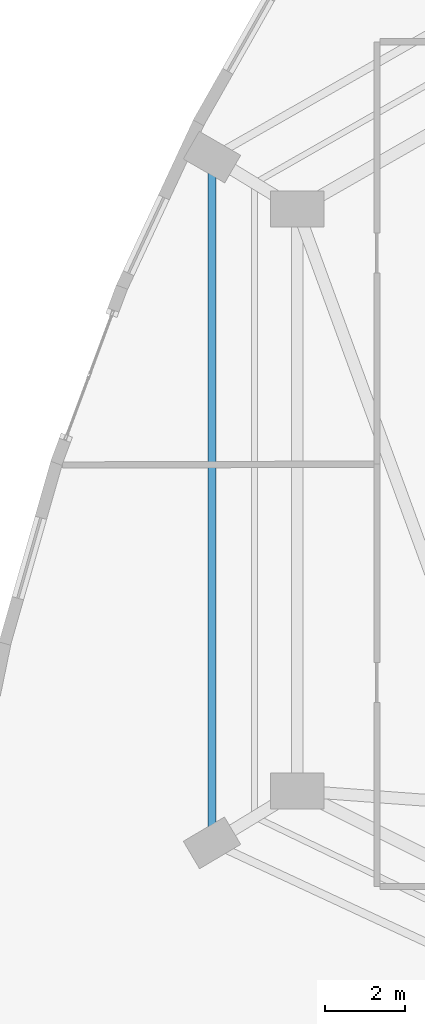
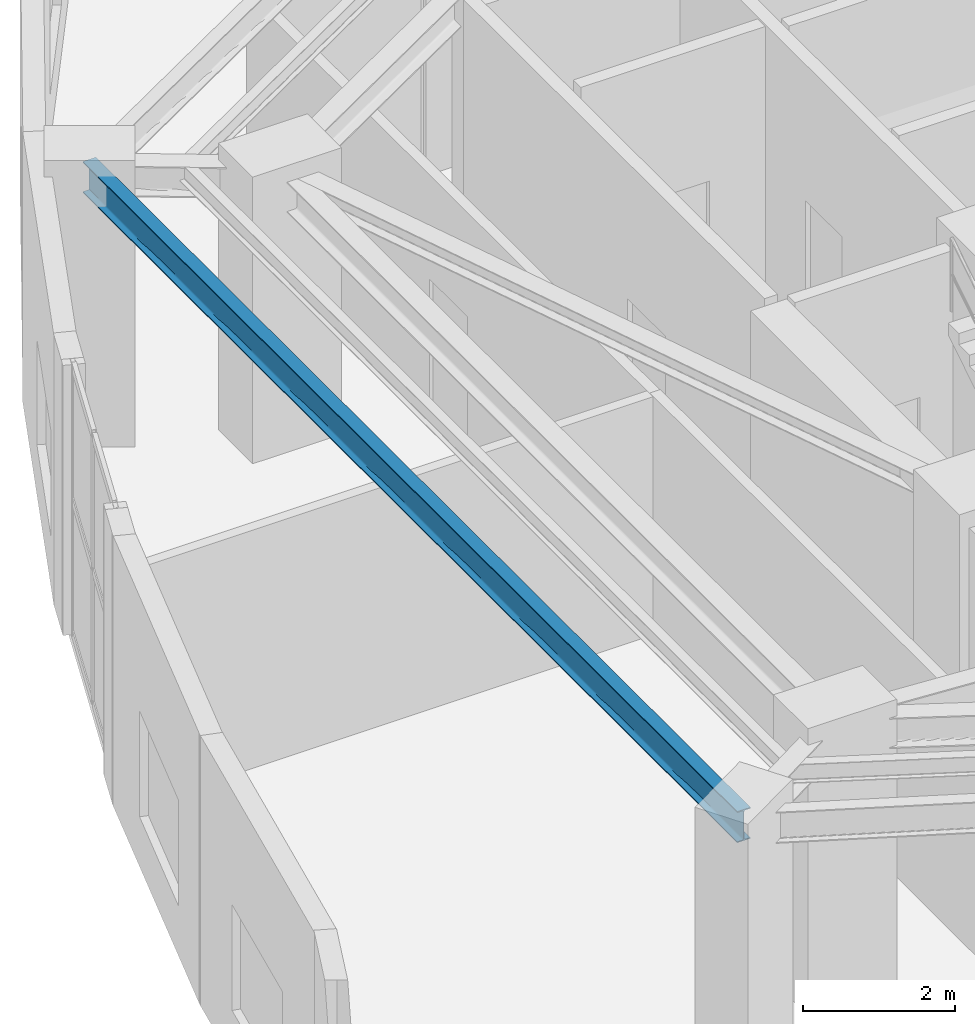
# One storey, part 5 of 17: 1 beam.
"""IFC4 building model written with IfcOpenShell, lengths in metres."""

from ifc_helpers import new_model, si_unit, direction, frame, origin, origin_2d, place, context, subcontext, project, spatial, i_section, extrude, material, material_profile, profile_set, type_object, element, save


model = new_model("IFC4")

# Units and contexts
model_context = context("Model", 3, precision=1e-05, world=origin(), true_north=direction((0.0, 1.0)))
body_context = subcontext(model_context, "Body", "Model", "MODEL_VIEW")
ifc_project = project(units=[si_unit("LENGTHUNIT", "METRE"), si_unit("AREAUNIT", "SQUARE_METRE"), si_unit("VOLUMEUNIT", "CUBIC_METRE"), si_unit("PLANEANGLEUNIT", "RADIAN"), si_unit("MASSUNIT", "GRAM", prefix="KILO")], contexts=[model_context])

# Site, building, storey
site_placement = place(None, origin())
site = spatial("IfcSite", under=ifc_project, at=site_placement, CompositionType="ELEMENT")
building_placement = place(site_placement, origin())
building = spatial("IfcBuilding", under=site, at=building_placement, Name="Miruveldt Soraemaru", CompositionType="ELEMENT")
storey_placement = place(building_placement, frame((0.0, 0.0, 95.800048828125)))
storey = spatial("IfcBuildingStorey", under=building, at=storey_placement, Name="L26", CompositionType="ELEMENT", Elevation=95.800048828125)

# Beam
ifc_material = material(Name="Steel SM355 (355 MPa)", Category="steel")
ifc_material_profile = material_profile(ifc_material, i_section(OverallWidth=0.199951171875, OverallDepth=0.5, WebThickness=0.010009765625, FlangeThickness=0.01611328125, FilletRadius=0.02001953125, at=origin_2d()), Name="Steel SM355 (355 MPa)", Category="steel")
ifc_profile_set = profile_set([ifc_material_profile], Name="Steel SM355 (355 MPa)")
beam_type = type_object("IfcBeamType", Name="BM-ST-H500", PredefinedType="SPANDREL", material=ifc_profile_set)
beam_placement = place(storey_placement, frame((29.260009765625, 34.4951171875, 4.0849609375), z_axis=(0.0, 1.0, 0.0), x_axis=(-1.0, 0.0, 0.0)))
element("IfcBeam", 1, at=beam_placement, inside=storey, type_object=beam_type, Name="L26 Zone-2 Spandrel Beam 5", PredefinedType="SPANDREL", context=body_context, shape_type="SweptSolid", body=[
    extrude(i_section(OverallWidth=0.199951171875, OverallDepth=0.5, WebThickness=0.010009765625, FlangeThickness=0.01611328125, FilletRadius=0.02001953125, at=origin_2d()), origin(), (0.0, 0.0, 1.0), 17.2099609375),
])

save(model, "model.ifc")
